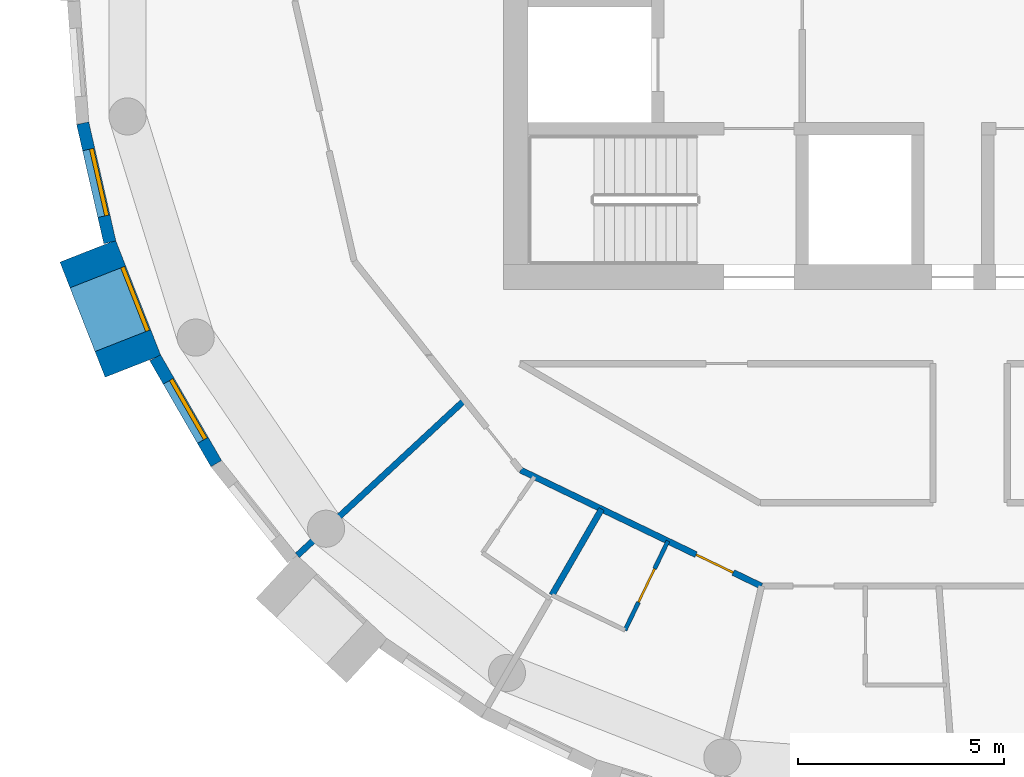
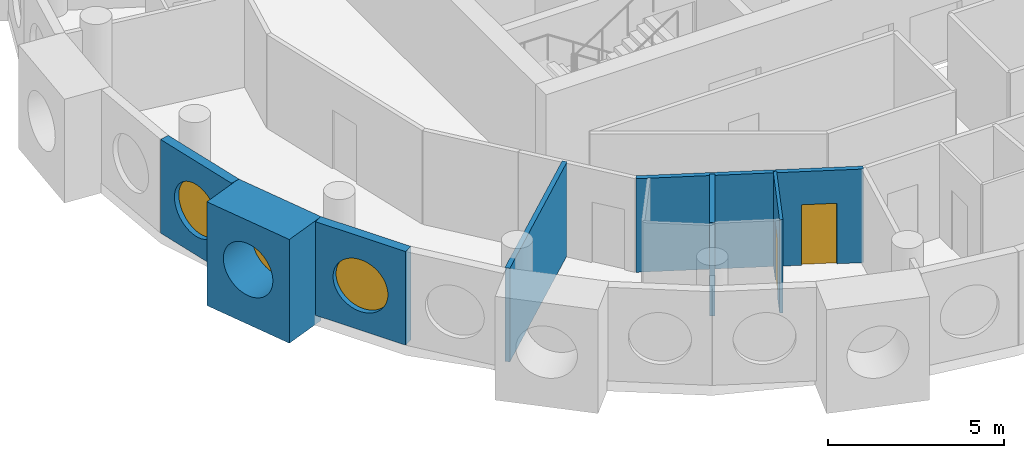
# One storey, part 2 of 13: 7 walls, 3 windows, 2 doors, 5 openings.
"""IFC4 building model written with IfcOpenShell, lengths in metres."""

import ifcopenshell
import ifcopenshell.guid

model = None  # the IFC model being written
_history = None  # IfcOwnerHistory: only IFC2X3 demands one
_inside = {}  # id of a spatial element -> (the spatial element, [elements in it])
_under = {}  # id of a project, library or spatial element -> (it, [spatial elements below it])
_declared = {}  # id of a project -> (the project, [libraries it declares])
_typed = {}  # id of a type object -> (the type object, [elements of that type])
_made_of = {}  # id of a material, layer set ... -> (it, [elements and type objects made of it])


def new_model(schema):
    """Start an empty IFC model of exactly this schema.

    Asked for "IFC4X3", IfcOpenShell would pick the latest addendum, in which some entities
    have other attributes; the version numbers below select the first issue.
    IFC2X3 requires an IfcOwnerHistory on every rooted entity: one is made here for all.
    """
    global model, _history
    if schema == "IFC4X3":
        model = ifcopenshell.file(schema_version=(4, 3, 0, 0))
    else:
        model = ifcopenshell.file(schema=schema)
    _inside.clear()
    _under.clear()
    _declared.clear()
    _typed.clear()
    _made_of.clear()
    _history = None
    if model.schema == "IFC2X3":
        org = make("IfcOrganization", Name="unknown")
        user = make(
            "IfcPersonAndOrganization",
            ThePerson=make("IfcPerson", FamilyName="unknown"),
            TheOrganization=org,
        )
        app = make(
            "IfcApplication",
            ApplicationDeveloper=org,
            Version="unknown",
            ApplicationFullName="unknown",
            ApplicationIdentifier="unknown",
        )
        _history = make(
            "IfcOwnerHistory",
            OwningUser=user,
            OwningApplication=app,
            ChangeAction="ADDED",
            CreationDate=0,
        )
    return model


def make(cls, **values):
    """One entity of the class cls with the attributes given. An attribute that is None is left unset."""
    return model.create_entity(
        cls, **{name: value for name, value in values.items() if value is not None}
    )


def rooted(cls, **values):
    """An entity with a GlobalId (a new one), such as an element, a storey or a relation."""
    return make(cls, GlobalId=ifcopenshell.guid.new(), OwnerHistory=_history, **values)


def si_unit(unit_type, name, prefix=None):
    """IfcSIUnit, for example si_unit("LENGTHUNIT", "METRE", prefix="MILLI")."""
    return make("IfcSIUnit", UnitType=unit_type, Prefix=prefix, Name=name)


def assignment(units):
    """IfcUnitAssignment: the units of a project."""
    return None if units is None else make("IfcUnitAssignment", Units=units)


def point(xyz):
    """IfcCartesianPoint."""
    return None if xyz is None else make("IfcCartesianPoint", Coordinates=xyz)


def direction(xyz):
    """IfcDirection."""
    return None if xyz is None else make("IfcDirection", DirectionRatios=xyz)


def frame(location, z_axis=None, x_axis=None):
    """IfcAxis2Placement3D, a coordinate frame: its origin and axes. An axis left out is left unset."""
    return make(
        "IfcAxis2Placement3D",
        Location=point(location),
        Axis=direction(z_axis),
        RefDirection=direction(x_axis),
    )


def frame_2d(location, x_axis=None):
    """IfcAxis2Placement2D, a coordinate frame in the plane: its origin and x axis."""
    return make(
        "IfcAxis2Placement2D", Location=point(location), RefDirection=direction(x_axis)
    )


def origin():
    """The frame at (0, 0, 0) with its axes left unset."""
    return frame((0.0, 0.0, 0.0))


def origin_2d():
    """The frame at (0, 0) in the plane with its x axis left unset."""
    return frame_2d((0.0, 0.0))


def place(relative_to, where):
    """IfcLocalPlacement: puts the frame where relative to a parent placement (None: the world)."""
    return make(
        "IfcLocalPlacement", PlacementRelTo=relative_to, RelativePlacement=where
    )


def context(
    kind, dimensions, precision=None, world=None, true_north=None, identifier=None
):
    """IfcGeometricRepresentationContext, for example the 3D "Model" context."""
    return make(
        "IfcGeometricRepresentationContext",
        ContextIdentifier=identifier,
        ContextType=kind,
        CoordinateSpaceDimension=dimensions,
        Precision=precision,
        WorldCoordinateSystem=world,
        TrueNorth=true_north,
    )


def subcontext(parent, identifier, kind, view, scale=None):
    """IfcGeometricRepresentationSubContext, for example "Body" below "Model"."""
    return make(
        "IfcGeometricRepresentationSubContext",
        ContextIdentifier=identifier,
        ContextType=kind,
        ParentContext=parent,
        TargetScale=scale,
        TargetView=view,
    )


def project(units=None, contexts=None):
    """IfcProject with its units and contexts."""
    return rooted(
        "IfcProject",
        Name="project",
        RepresentationContexts=contexts,
        UnitsInContext=assignment(units),
    )


def spatial(cls, under=None, at=None, **own):
    """A site, building, storey or space (cls), placed at a placement, below another one or the project."""
    s = rooted(cls, ObjectPlacement=at, **own)
    if under is not None:
        _under.setdefault(under.id(), (under, []))[1].append(s)
    return s


def profile(cls, at=None, kind="AREA", **sizes):
    """A parametric profile (cls). Its sizes go by their IFC names, for example OverallWidth=200.0."""
    return make(cls, ProfileType=kind, Position=at, **sizes)


def rectangle(**sizes):
    """IfcRectangleProfileDef."""
    return profile("IfcRectangleProfileDef", **sizes)


def circle(**sizes):
    """IfcCircleProfileDef."""
    return profile("IfcCircleProfileDef", **sizes)


def extrude(swept, where, along, depth):
    """IfcExtrudedAreaSolid: the profile swept, set in the frame where, extruded along a direction by depth."""
    return make(
        "IfcExtrudedAreaSolid",
        SweptArea=swept,
        Position=where,
        ExtrudedDirection=direction(along),
        Depth=depth,
    )


def shape(context_of_items, identifier, shape_type, items):
    """IfcShapeRepresentation: the items that make up one representation, for example the "Body"."""
    return make(
        "IfcShapeRepresentation",
        ContextOfItems=context_of_items,
        RepresentationIdentifier=identifier,
        RepresentationType=shape_type,
        Items=items,
    )


def material(Name=None, Category=None):
    """IfcMaterial."""
    return make("IfcMaterial", Name=Name, Category=Category)


def layer(
    of_material, thickness, ventilated=None, Name=None, Category=None, Priority=None
):
    """IfcMaterialLayer: one layer of a wall or slab, of a material (None: an air gap)."""
    return make(
        "IfcMaterialLayer",
        Material=of_material,
        LayerThickness=thickness,
        IsVentilated=ventilated,
        Name=Name,
        Category=Category,
        Priority=Priority,
    )


def layer_set(layers, Name=None):
    """IfcMaterialLayerSet."""
    return make("IfcMaterialLayerSet", MaterialLayers=layers, LayerSetName=Name)


def made_of(thing, what):
    """Note that an element or type object is made of a material, layer set ...; save() writes the relation."""
    if what is not None:
        _made_of.setdefault(what.id(), (what, []))[1].append(thing)
    return thing


def type_object(cls, material=None, **own):
    """A type object (cls), such as IfcWallType, which elements share."""
    return made_of(rooted(cls, **own), material)


def element(
    cls,
    number,
    at=None,
    inside=None,
    cuts=None,
    type_object=None,
    material=None,
    context=None,
    identifier="Body",
    shape_type=None,
    held_by="IfcProductDefinitionShape",
    body=None,
    shapes=None,
    **own,
):
    """One element of the class cls, such as IfcWall. Its Tag is "e" and its number.

    at: its placement. inside: the storey or other place that contains it. cuts: it is an
    opening in that element (IfcRelVoidsElement). A single representation is given by context,
    identifier, shape_type and body (its items); several are given by shapes. held_by: the class
    of the entity that holds the representations. save() writes the other relations.
    """
    e = rooted(cls, Tag="e%d" % number, ObjectPlacement=at, **own)
    if body is not None:
        shapes = [shape(context, identifier, shape_type, body)]
    if shapes is not None:
        e.Representation = make(held_by, Representations=shapes)
    if inside is not None:
        _inside.setdefault(inside.id(), (inside, []))[1].append(e)
    if cuts is not None:
        rooted(
            "IfcRelVoidsElement", RelatingBuildingElement=cuts, RelatedOpeningElement=e
        )
    if type_object is not None:
        _typed.setdefault(type_object.id(), (type_object, []))[1].append(e)
    return made_of(e, material)


def fill(opening, filler):
    """IfcRelFillsElement: the door or window that sits in an opening."""
    return rooted(
        "IfcRelFillsElement",
        RelatingOpeningElement=opening,
        RelatedBuildingElement=filler,
    )


def aggregate(whole, parts):
    """IfcRelAggregates: a whole, such as a stair, and the parts it consists of."""
    return rooted("IfcRelAggregates", RelatingObject=whole, RelatedObjects=parts)


def save(model, path):
    """Write the relations noted so far, then the file.

    IfcRelAggregates (storeys below a building ...), IfcRelContainedInSpatialStructure (elements
    in a storey), IfcRelDefinesByType, IfcRelAssociatesMaterial and IfcRelDeclares: one each for
    every whole, place, type object, material and project.
    """
    for whole, parts in _under.values():
        aggregate(whole, parts)
    for where, things in _inside.values():
        rooted(
            "IfcRelContainedInSpatialStructure",
            RelatedElements=things,
            RelatingStructure=where,
        )
    for kind, things in _typed.values():
        rooted("IfcRelDefinesByType", RelatedObjects=things, RelatingType=kind)
    for what, things in _made_of.values():
        rooted("IfcRelAssociatesMaterial", RelatedObjects=things, RelatingMaterial=what)
    for by, libraries in _declared.values():
        rooted("IfcRelDeclares", RelatingContext=by, RelatedDefinitions=libraries)
    model.write(path)


model = new_model("IFC4")

# Units and contexts
model_context = context("Model", 3, precision=1e-05, world=origin(), true_north=direction((0.0, 1.0)))
body_context = subcontext(model_context, "Body", "Model", "MODEL_VIEW")
ifc_project = project(units=[si_unit("LENGTHUNIT", "METRE"), si_unit("AREAUNIT", "SQUARE_METRE"), si_unit("VOLUMEUNIT", "CUBIC_METRE"), si_unit("PLANEANGLEUNIT", "RADIAN"), si_unit("MASSUNIT", "GRAM", prefix="KILO")], contexts=[model_context])

# Site, building, storey
site_placement = place(None, origin())
site = spatial("IfcSite", under=ifc_project, at=site_placement, CompositionType="ELEMENT")
building_placement = place(site_placement, origin())
building = spatial("IfcBuilding", under=site, at=building_placement, Name="Tracery Tower", CompositionType="ELEMENT")
storey_placement = place(building_placement, frame((0.0, 0.0, 294.60009765625)))
storey = spatial("IfcBuildingStorey", under=building, at=storey_placement, Name="L76", CompositionType="ELEMENT", Elevation=294.60009765625)

# Wall, opening, window
ifc_material_1 = material(Name="Precast concrete C50/60", Category="concrete")
ifc_layer_1 = layer(ifc_material_1, 1.449951171875)
ifc_layer_set_1 = layer_set([ifc_layer_1], Name="Deep-set bay unit 3000 x 3600, slab edge 350")
wall_type_1 = type_object("IfcWallType", Name="Deep-set bay unit 3000 x 3600, slab edge 350", PredefinedType="ELEMENTEDWALL", material=ifc_layer_set_1)
wall_1_placement = place(storey_placement, frame((-19.576171875, -6.071533203125, -0.35009765625), z_axis=(0.0, 0.0, 1.0), x_axis=(0.36537792632, -0.93085926485, 0.0)))
wall_1 = element("IfcWall", 1, at=wall_1_placement, inside=storey, type_object=wall_type_1, Name="Deep-set bay unit 24 at L76", PredefinedType="ELEMENTEDWALL", context=body_context, shape_type="SweptSolid", body=[
    extrude(rectangle(XDim=3.000244140625, YDim=1.449951171875, at=frame_2d((1.5, 0.0))), origin(), (0.0, 0.0, 1.0), 3.60009765625),
])
opening_1_placement = place(wall_1_placement, frame((1.5, 0.0, 1.89990234375)))
opening_1 = element("IfcOpeningElement", 2, at=opening_1_placement, cuts=wall_1, Name="Opening WN1", PredefinedType="OPENING", context=body_context, shape_type="SweptSolid", body=[
    extrude(circle(Radius=0.9000244140625, at=origin_2d()), frame((0.0, 0.73486328125, 0.0), z_axis=(0.0, -1.0, 0.0), x_axis=(1.0, 0.0, 0.0)), (0.0, 0.0, 1.0), 1.469970703125),
])
ifc_material_2 = material(Name="Aluminium frame with tinted double glazing", Category="aluminium")
window_type = type_object("IfcWindowType", Name="Round window 1800", PartitioningType="SINGLE_PANEL", PredefinedType="WINDOW", material=ifc_material_2)
window_1_placement = place(opening_1_placement, origin())
window_1 = element("IfcWindow", 3, at=window_1_placement, inside=storey, type_object=window_type, Name="Round window 24 at L76", OverallHeight=1.800048828125, OverallWidth=1.800048828125, PartitioningType="SINGLE_PANEL", PredefinedType="WINDOW", context=body_context, shape_type="SweptSolid", body=[
    extrude(circle(Radius=0.9000244140625, at=origin_2d()), frame((0.0, 0.69482421875, 0.0), z_axis=(0.0, -1.0, 0.0), x_axis=(1.0, 0.0, 0.0)), (0.0, 0.0, 1.0), 0.10009765625),
])
fill(opening_1, window_1)

ifc_material_3 = material(Name="Precast concrete C50/60", Category="concrete")
ifc_layer_2 = layer(ifc_material_3, 0.300048828125)
ifc_layer_set_2 = layer_set([ifc_layer_2], Name="Facade panel 3000 x 3250")
wall_type_2 = type_object("IfcWallType", Name="Facade panel 3000 x 3250", PredefinedType="SOLIDWALL", material=ifc_layer_set_2)
wall_2_placement = place(storey_placement, frame((-19.69921875, -2.96923828125, 0.0), z_axis=(0.0, 0.0, 1.0), x_axis=(0.222529389789, -0.974925982155, 0.0)))
wall_2 = element("IfcWall", 4, at=wall_2_placement, inside=storey, type_object=wall_type_2, Name="Facade panel 23 at L76", PredefinedType="SOLIDWALL", context=body_context, shape_type="SweptSolid", body=[
    extrude(rectangle(XDim=2.962158203125, YDim=0.300048828125, at=frame_2d((1.48095703125, 0.0))), origin(), (0.0, 0.0, 1.0), 3.25),
])
opening_2_placement = place(wall_2_placement, frame((1.48095703125, 0.0, 1.5498046875)))
opening_2 = element("IfcOpeningElement", 5, at=opening_2_placement, cuts=wall_2, Name="Opening WN1", PredefinedType="OPENING", context=body_context, shape_type="SweptSolid", body=[
    extrude(circle(Radius=0.9000244140625, at=origin_2d()), frame((0.0, 0.159912109375, 0.0), z_axis=(0.0, -1.0, 0.0), x_axis=(1.0, 0.0, 0.0)), (0.0, 0.0, 1.0), 0.320068359375),
])
window_2_placement = place(opening_2_placement, origin())
window_2 = element("IfcWindow", 6, at=window_2_placement, inside=storey, type_object=window_type, Name="Round window 23 at L76", OverallHeight=1.800048828125, OverallWidth=1.800048828125, PartitioningType="SINGLE_PANEL", PredefinedType="WINDOW", context=body_context, shape_type="SweptSolid", body=[
    extrude(circle(Radius=0.9000244140625, at=origin_2d()), frame((0.0, 0.1201171875, 0.0), z_axis=(0.0, -1.0, 0.0), x_axis=(1.0, 0.0, 0.0)), (0.0, 0.0, 1.0), 0.10009765625),
])
fill(opening_2, window_2)

wall_3_placement = place(storey_placement, frame((-17.941162109375, -8.656982421875, 0.0), z_axis=(0.0, 0.0, 1.0), x_axis=(0.499950756475, -0.86605383268, 0.0)))
wall_3 = element("IfcWall", 7, at=wall_3_placement, inside=storey, type_object=wall_type_2, Name="Facade panel 25 at L76", PredefinedType="SOLIDWALL", context=body_context, shape_type="SweptSolid", body=[
    extrude(rectangle(XDim=2.962158203125, YDim=0.300048828125, at=frame_2d((1.48095703125, 0.0))), origin(), (0.0, 0.0, 1.0), 3.25),
])
opening_3_placement = place(wall_3_placement, frame((1.48095703125, 0.0, 1.5498046875)))
opening_3 = element("IfcOpeningElement", 8, at=opening_3_placement, cuts=wall_3, Name="Opening WN1", PredefinedType="OPENING", context=body_context, shape_type="SweptSolid", body=[
    extrude(circle(Radius=0.9000244140625, at=origin_2d()), frame((0.0, 0.159912109375, 0.0), z_axis=(0.0, -1.0, 0.0), x_axis=(1.0, 0.0, 0.0)), (0.0, 0.0, 1.0), 0.320068359375),
])
window_3_placement = place(opening_3_placement, origin())
window_3 = element("IfcWindow", 9, at=window_3_placement, inside=storey, type_object=window_type, Name="Round window 25 at L76", OverallHeight=1.800048828125, OverallWidth=1.800048828125, PartitioningType="SINGLE_PANEL", PredefinedType="WINDOW", context=body_context, shape_type="SweptSolid", body=[
    extrude(circle(Radius=0.9000244140625, at=origin_2d()), frame((0.0, 0.1201171875, 0.0), z_axis=(0.0, -1.0, 0.0), x_axis=(1.0, 0.0, 0.0)), (0.0, 0.0, 1.0), 0.10009765625),
])
fill(opening_3, window_3)

# Wall, opening, door
ifc_material_4 = material(Name="Plasterboard on steel studs", Category="steel")
ifc_layer_3 = layer(ifc_material_4, 0.10009765625)
ifc_layer_set_3 = layer_set([ifc_layer_3], Name="Partition 100 wet wall")
wall_type_3 = type_object("IfcWallType", Name="Partition 100 wet wall", PredefinedType="PARTITIONING", material=ifc_layer_set_3)
wall_4_placement = place(storey_placement, frame((-6.548095703125, -15.261962890625, 0.0), z_axis=(0.0, 0.0, 1.0), x_axis=(0.433855388624, 0.900982520231, 0.0)))
wall_4 = element("IfcWall", 10, at=wall_4_placement, inside=storey, type_object=wall_type_3, Name="Wet wall RC7-066", PredefinedType="PARTITIONING", context=body_context, shape_type="SweptSolid", body=[
    extrude(rectangle(XDim=2.3994140625, YDim=0.10009765625, at=frame_2d((1.19970703125, 0.0))), origin(), (0.0, 0.0, 1.0), 3.25),
])
opening_4_placement = place(wall_4_placement, frame((0.75, 0.0, 0.0)))
opening_4 = element("IfcOpeningElement", 11, at=opening_4_placement, cuts=wall_4, Name="Opening RC7-17", PredefinedType="OPENING", context=body_context, shape_type="SweptSolid", body=[
    extrude(rectangle(XDim=0.89990234375, YDim=2.0400390625, at=frame_2d((0.449951171875, 1.02001953125))), frame((0.0, 0.050048828125, 0.0), z_axis=(0.0, -1.0, 0.0), x_axis=(1.0, 0.0, 0.0)), (0.0, 0.0, 1.0), 0.10009765625),
])
ifc_material_5 = material(Name="Timber door leaf", Category="wood")
door_type_1 = type_object("IfcDoorType", Name="Door en-suite 900", OperationType="NOTDEFINED", PredefinedType="DOOR", material=ifc_material_5)
door_1_placement = place(opening_4_placement, origin())
door_1 = element("IfcDoor", 12, at=door_1_placement, inside=storey, type_object=door_type_1, Name="En-suite door RC7-17", OperationType="SINGLE_SWING_RIGHT", OverallHeight=2.0400390625, OverallWidth=0.89990234375, PredefinedType="DOOR", context=body_context, shape_type="SweptSolid", body=[
    extrude(rectangle(XDim=0.89990234375, YDim=2.0400390625, at=frame_2d((0.449951171875, 1.02001953125))), frame((0.0, 0.02490234375, 0.0), z_axis=(0.0, -1.0, 0.0), x_axis=(1.0, 0.0, 0.0)), (0.0, 0.0, 1.0), 0.050048828125),
])
fill(opening_4, door_1)

# Walls
ifc_material_6 = material(Name="Plasterboard on steel studs", Category="steel")
ifc_layer_4 = layer(ifc_material_6, 0.14990234375)
ifc_layer_set_4 = layer_set([ifc_layer_4], Name="Partition 150 acoustic unit wall")
wall_type_4 = type_object("IfcWallType", Name="Partition 150 acoustic unit wall", PredefinedType="PARTITIONING", material=ifc_layer_set_4)
wall_5_placement = place(storey_placement, frame((-14.492919921875, -13.447998046875, 0.0), z_axis=(0.0, 0.0, 1.0), x_axis=(0.73295202722, 0.68028032883, 0.0)))
element("IfcWall", 13, at=wall_5_placement, inside=storey, type_object=wall_type_4, Name="Unit wall RC7-060", PredefinedType="PARTITIONING", context=body_context, shape_type="SweptSolid", body=[
    extrude(rectangle(XDim=5.5390625, YDim=0.14990234375, at=frame_2d((2.76953125, 0.0))), origin(), (0.0, 0.0, 1.0), 3.25),
])
wall_6_placement = place(storey_placement, frame((-8.321044921875, -14.412109375, 0.0), z_axis=(0.0, 0.0, 1.0), x_axis=(0.500017667814, 0.866015203027, 0.0)))
element("IfcWall", 14, at=wall_6_placement, inside=storey, type_object=wall_type_4, Name="Unit wall RC7-064", PredefinedType="PARTITIONING", context=body_context, shape_type="SweptSolid", body=[
    extrude(rectangle(XDim=2.41015625, YDim=0.14990234375, at=frame_2d((1.205078125, 0.0))), origin(), (0.0, 0.0, 1.0), 3.25),
])

# Wall, opening, door
ifc_material_7 = material(Name="Plasterboard on steel studs", Category="steel")
ifc_layer_5 = layer(ifc_material_7, 0.14990234375)
ifc_layer_set_5 = layer_set([ifc_layer_5], Name="Partition 150 corridor wall")
wall_type_5 = type_object("IfcWallType", Name="Partition 150 corridor wall", PredefinedType="PARTITIONING", material=ifc_layer_set_5)
wall_7_placement = place(storey_placement, frame((-9.075927734375, -11.381103515625, 0.0), z_axis=(0.0, 0.0, 1.0), x_axis=(0.900778421649, -0.434278983018, 0.0)))
wall_7 = element("IfcWall", 15, at=wall_7_placement, inside=storey, type_object=wall_type_5, Name="Corridor wall RC7-039", PredefinedType="PARTITIONING", context=body_context, shape_type="SweptSolid", body=[
    extrude(rectangle(XDim=6.478515625, YDim=0.14990234375, at=frame_2d((3.2392578125, 0.0))), origin(), (0.0, 0.0, 1.0), 3.25),
])
opening_5_placement = place(wall_7_placement, frame((4.718505859375, 0.0, 0.0)))
opening_5 = element("IfcOpeningElement", 16, at=opening_5_placement, cuts=wall_7, Name="Opening RC7-18", PredefinedType="OPENING", context=body_context, shape_type="SweptSolid", body=[
    extrude(rectangle(XDim=1.0, YDim=2.10009765625, at=frame_2d((0.5, 1.050048828125))), frame((0.0, 0.074951171875, 0.0), z_axis=(0.0, -1.0, 0.0), x_axis=(1.0, 0.0, 0.0)), (0.0, 0.0, 1.0), 0.14990234375),
])
ifc_material_8 = material(Name="Timber door leaf", Category="wood")
door_type_2 = type_object("IfcDoorType", Name="Door unit entrance 1000", OperationType="NOTDEFINED", PredefinedType="DOOR", material=ifc_material_8)
door_2_placement = place(opening_5_placement, origin())
door_2 = element("IfcDoor", 17, at=door_2_placement, inside=storey, type_object=door_type_2, Name="Unit entrance door RC7-18", OperationType="SINGLE_SWING_LEFT", OverallHeight=2.10009765625, OverallWidth=1.0, PredefinedType="DOOR", context=body_context, shape_type="SweptSolid", body=[
    extrude(rectangle(XDim=1.0, YDim=2.10009765625, at=frame_2d((0.5, 1.050048828125))), frame((0.0, 0.02490234375, 0.0), z_axis=(0.0, -1.0, 0.0), x_axis=(1.0, 0.0, 0.0)), (0.0, 0.0, 1.0), 0.050048828125),
])
fill(opening_5, door_2)

save(model, "model.ifc")
